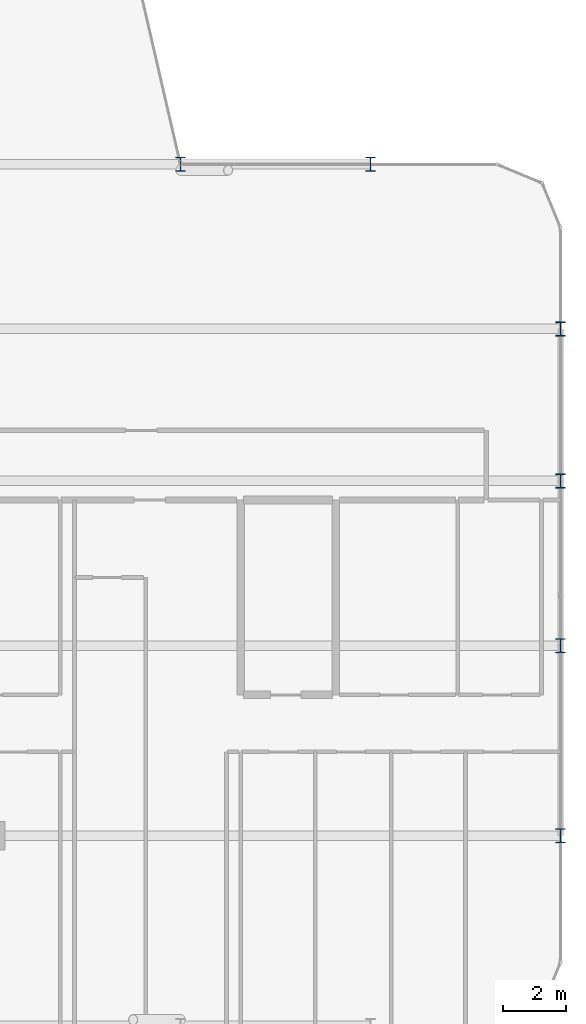
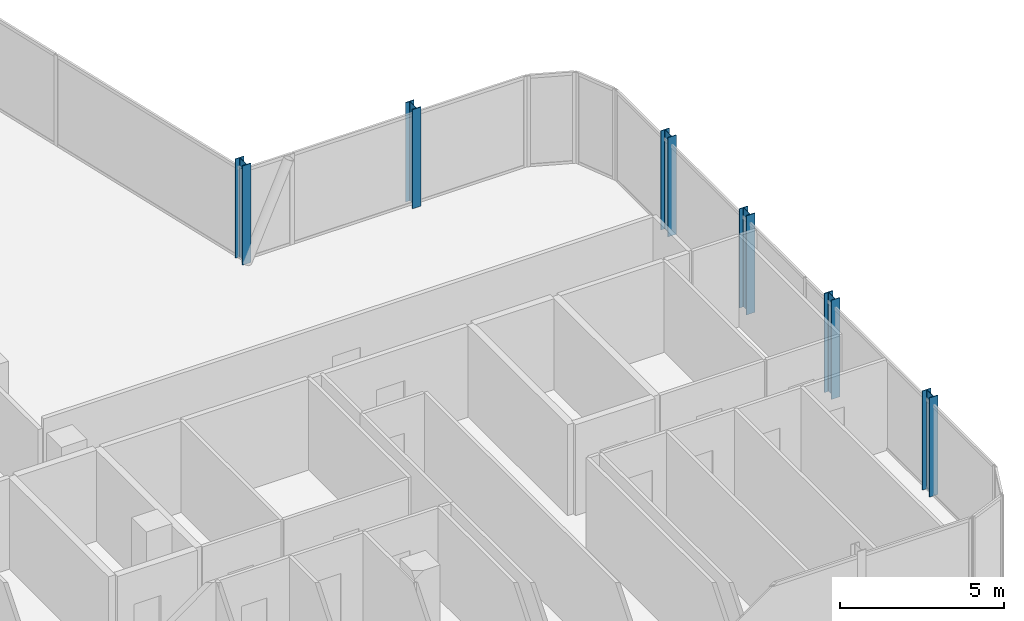
# One storey, part 2 of 29: 6 columns.
"""IFC4 building model written with IfcOpenShell, lengths in metres."""

from ifc_helpers import new_model, si_unit, direction, frame, origin, origin_2d, place, context, subcontext, project, spatial, i_section, extrude, material, material_profile, profile_set, type_object, element, save


model = new_model("IFC4")

# Units and contexts
model_context = context("Model", 3, precision=1e-05, world=origin(), true_north=direction((0.0, 1.0)))
body_context = subcontext(model_context, "Body", "Model", "MODEL_VIEW")
ifc_project = project(units=[si_unit("LENGTHUNIT", "METRE"), si_unit("AREAUNIT", "SQUARE_METRE"), si_unit("VOLUMEUNIT", "CUBIC_METRE"), si_unit("PLANEANGLEUNIT", "RADIAN"), si_unit("MASSUNIT", "GRAM", prefix="KILO")], contexts=[model_context])

# Site, building, storey
site_placement = place(None, origin())
site = spatial("IfcSite", under=ifc_project, at=site_placement, CompositionType="ELEMENT")
building_placement = place(site_placement, origin())
building = spatial("IfcBuilding", under=site, at=building_placement, Name="Keshet Zoharim Tower", CompositionType="ELEMENT")
storey_placement = place(building_placement, frame((0.0, 0.0, 176.5)))
storey = spatial("IfcBuildingStorey", under=building, at=storey_placement, Name="L43", CompositionType="ELEMENT", Elevation=176.5)

# Columns
ifc_material = material(Name="Steel S355", Category="steel")
ifc_material_profile = material_profile(ifc_material, i_section(OverallWidth=0.300048828125, OverallDepth=0.449951171875, WebThickness=0.013916015625, FlangeThickness=0.02587890625, FilletRadius=0.027099609375, at=origin_2d()), Name="HEB450")
ifc_profile_set = profile_set([ifc_material_profile], Name="Steel S355")
column_type = type_object("IfcColumnType", Name="COL-HEB450", PredefinedType="COLUMN", material=ifc_profile_set)
for number, where, z_axis, x_axis, name in (
    (1, (45.0, 27.89990234375, 0.0), (0.0, 0.0, 1.0), (1.0, 0.0, 0.0), "L43 Column 8F"),
    (2, (51.0, 27.89990234375, 0.0), (0.0, 0.0, 1.0), (1.0, 0.0, 0.0), "L43 Column 9F"),
    (3, (57.0, 6.699951171875, 0.0), (0.0, 0.0, 1.0), (1.0, 0.0, 0.0), "L43 Column 10B"),
    (4, (57.0, 12.699951171875, 0.0), (0.0, 0.0, 1.0), (1.0, 0.0, 0.0), "L43 Column 10C"),
    (5, (57.0, 17.89990234375, 0.0), (0.0, 0.0, 1.0), (1.0, 0.0, 0.0), "L43 Column 10D"),
    (6, (57.0, 22.699951171875, 0.0), (0.0, 0.0, 1.0), (1.0, 0.0, 0.0), "L43 Column 10E"),
):
    element("IfcColumn", number, at=place(storey_placement, frame(where, z_axis=z_axis, x_axis=x_axis)), inside=storey, type_object=column_type, Name=name, PredefinedType="COLUMN", context=body_context, shape_type="SweptSolid", body=[
        extrude(i_section(OverallWidth=0.300048828125, OverallDepth=0.449951171875, WebThickness=0.013916015625, FlangeThickness=0.02587890625, FilletRadius=0.027099609375, at=origin_2d()), origin(), (0.0, 0.0, 1.0), 3.699951171875),
    ])

save(model, "model.ifc")
